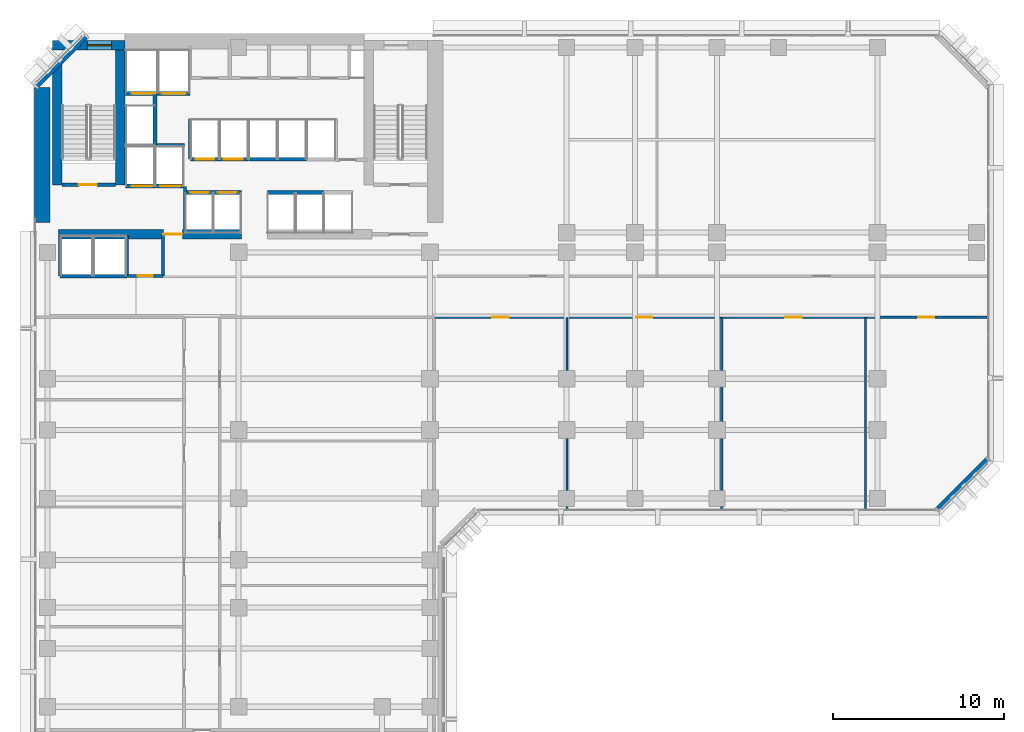
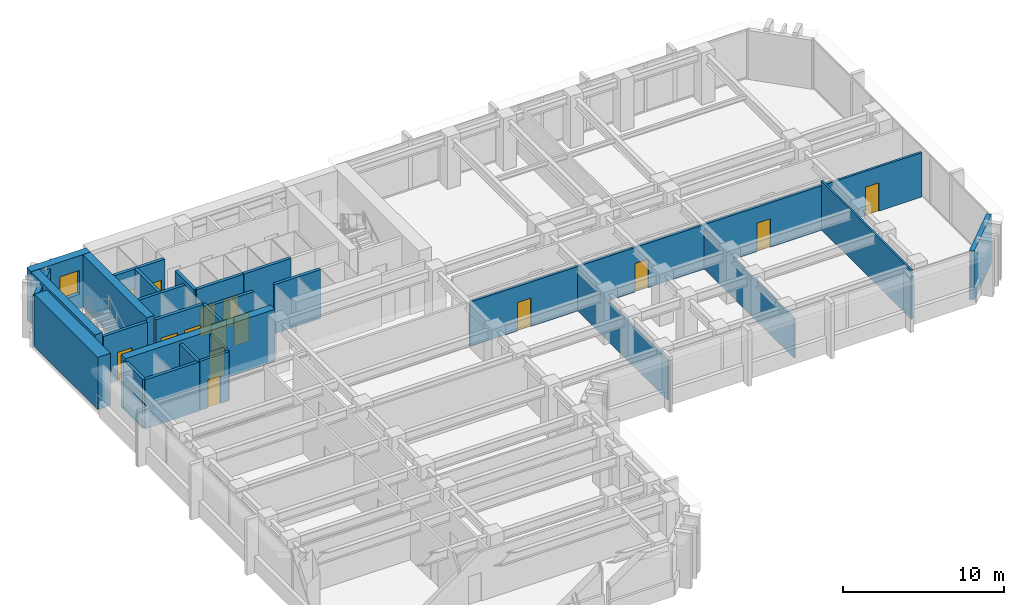
# One storey, part 7 of 14: 27 walls, 15 doors, 1 window, 16 openings.
"""IFC4 building model written with IfcOpenShell, lengths in metres."""

from ifc_helpers import new_model, si_unit, direction, frame, frame_2d, origin, place, context, subcontext, project, spatial, rectangle, extrude, material, layer, layer_set, type_object, element, fill, save


model = new_model("IFC4")

# Units and contexts
model_context = context("Model", 3, precision=1e-05, world=origin(), true_north=direction((0.0, 1.0)))
body_context = subcontext(model_context, "Body", "Model", "MODEL_VIEW")
ifc_project = project(units=[si_unit("LENGTHUNIT", "METRE"), si_unit("AREAUNIT", "SQUARE_METRE"), si_unit("VOLUMEUNIT", "CUBIC_METRE"), si_unit("PLANEANGLEUNIT", "RADIAN"), si_unit("MASSUNIT", "GRAM", prefix="KILO")], contexts=[model_context])

# Site, building, storey
site_placement = place(None, origin())
site = spatial("IfcSite", under=ifc_project, at=site_placement, CompositionType="ELEMENT")
building_placement = place(site_placement, origin())
building = spatial("IfcBuilding", under=site, at=building_placement, Name="Kefirva Bronze Tower", CompositionType="ELEMENT")
storey_placement = place(building_placement, frame((0.0, 0.0, 50.159912109375)))
storey = spatial("IfcBuildingStorey", under=building, at=storey_placement, Name="L11", CompositionType="ELEMENT", Elevation=50.159912109375)

# Walls
ifc_material_1 = material(Name="Gypsum acoustic partition")
ifc_layer_1 = layer(ifc_material_1, 0.1298828125, Name="Gypsum acoustic partition")
ifc_layer_set_1 = layer_set([ifc_layer_1], Name="Gypsum acoustic partition")
wall_type_1 = type_object("IfcWallType", Name="Acoustic Office Partition 130mm", PredefinedType="PARTITIONING", material=ifc_layer_set_1)
for number, where, z_axis, x_axis, name in (
    (1, (31.21630859375, 18.18994140625, 0.0), (0.0, 0.0, 1.0), (0.0, 1.0, 0.0), "L11 Partition W-L11-ESD1"),
    (2, (40.277099609375, 18.18994140625, 0.0), (0.0, 0.0, 1.0), (0.0, 1.0, 0.0), "L11 Partition W-L11-ESD2"),
):
    element("IfcWall", number, at=place(storey_placement, frame(where, z_axis=z_axis, x_axis=x_axis)), inside=storey, type_object=wall_type_1, Name=name, PredefinedType="PARTITIONING", context=body_context, shape_type="SweptSolid", body=[
        extrude(rectangle(XDim=11.2099609375, YDim=0.1298828125, at=frame_2d((5.60498046875, 0.0))), origin(), (0.0, 0.0, 1.0), 2.9951171875),
    ])
wall_1_placement = place(storey_placement, frame((48.69091796875, 18.18994140625, 0.0), z_axis=(0.0, 0.0, 1.0), x_axis=(0.0, 1.0, 0.0)))
element("IfcWall", 3, at=wall_1_placement, inside=storey, type_object=wall_type_1, Name="L11 Partition W-L11-ESD3", PredefinedType="PARTITIONING", context=body_context, shape_type="SweptSolid", body=[
    extrude(rectangle(XDim=11.2099609375, YDim=0.1298828125, at=frame_2d((5.60498046875, 0.0))), origin(), (0.0, 0.0, 1.0), 3.710205078125),
])

# Wall, opening, door
ifc_material_2 = material(Name="Gypsum fireboard shaftwall")
ifc_layer_2 = layer(ifc_material_2, 0.219970703125, Name="Gypsum fireboard shaftwall")
ifc_layer_set_2 = layer_set([ifc_layer_2], Name="Gypsum fireboard shaftwall")
wall_type_2 = type_object("IfcWallType", Name="Fire-Rated Shaft Enclosure Wall 220mm", PredefinedType="PARTITIONING", material=ifc_layer_set_2)
wall_2_placement = place(storey_placement, frame((1.64990234375, 37.14990234375, 0.0), z_axis=(0.0, 0.0, 1.0), x_axis=(1.0, 0.0, 0.0)))
wall_2 = element("IfcWall", 4, at=wall_2_placement, inside=storey, type_object=wall_type_2, Name="L11 Partition W-L11-ST1S", PredefinedType="PARTITIONING", context=body_context, shape_type="SweptSolid", body=[
    extrude(rectangle(XDim=3.150146484375, YDim=0.219970703125, at=frame_2d((1.5751953125, 0.0))), origin(), (0.0, 0.0, 1.0), 3.710205078125),
])
opening_1_placement = place(wall_2_placement, frame((2.050048828125, 0.0, 0.0), z_axis=(0.0, 0.0, 1.0), x_axis=(-1.0, 0.0, 0.0)))
opening_1 = element("IfcOpeningElement", 5, at=opening_1_placement, cuts=wall_2, Name="Opening L11-D001", PredefinedType="OPENING", context=body_context, shape_type="SweptSolid", body=[
    extrude(rectangle(XDim=1.050048828125, YDim=2.14990234375, at=frame_2d((0.52490234375, 1.074951171875))), frame((0.0, 0.1201171875, 0.0), z_axis=(0.0, -1.0, 0.0), x_axis=(1.0, 0.0, 0.0)), (0.0, 0.0, 1.0), 0.239990234375),
])
ifc_material_3 = material(Name="Painted galvanized steel", Category="steel")
door_type_1 = type_object("IfcDoorType", Name="Fire Stair Enclosure Door 1050x2150 FD90S", OperationType="NOTDEFINED", PredefinedType="DOOR", material=ifc_material_3)
door_1_placement = place(opening_1_placement, origin())
door_1 = element("IfcDoor", 6, at=door_1_placement, inside=storey, type_object=door_type_1, Name="Door L11-D001", OperationType="SINGLE_SWING_LEFT", OverallHeight=2.14990234375, OverallWidth=1.050048828125, PredefinedType="DOOR", context=body_context, shape_type="SweptSolid", body=[
    extrude(rectangle(XDim=1.050048828125, YDim=2.14990234375, at=frame_2d((0.52490234375, 1.074951171875))), frame((0.0, 0.02490234375, 0.0), z_axis=(0.0, -1.0, 0.0), x_axis=(1.0, 0.0, 0.0)), (0.0, 0.0, 1.0), 0.050048828125),
])
fill(opening_1, door_1)

# Wall, openings, doors
wall_3_placement = place(storey_placement, frame((5.3798828125, 37.080078125, 0.0), z_axis=(0.0, 0.0, 1.0), x_axis=(1.0, 0.0, 0.0)))
wall_3 = element("IfcWall", 7, at=wall_3_placement, inside=storey, type_object=wall_type_2, Name="L11 Partition W-L11-FFS", PredefinedType="PARTITIONING", context=body_context, shape_type="SweptSolid", body=[
    extrude(rectangle(XDim=3.460205078125, YDim=0.219970703125, at=frame_2d((1.72998046875, 0.0))), origin(), (0.0, 0.0, 1.0), 3.710205078125),
])
opening_2_placement = place(wall_3_placement, frame((1.550048828125, 0.0, 0.0), z_axis=(0.0, 0.0, 1.0), x_axis=(-1.0, 0.0, 0.0)))
opening_2 = element("IfcOpeningElement", 8, at=opening_2_placement, cuts=wall_3, Name="Opening L11-LD-FF1", PredefinedType="OPENING", context=body_context, shape_type="SweptSolid", body=[
    extrude(rectangle(XDim=1.199951171875, YDim=2.199951171875, at=frame_2d((0.60009765625, 1.10009765625))), frame((0.0, 0.1201171875, 0.0), z_axis=(0.0, -1.0, 0.0), x_axis=(1.0, 0.0, 0.0)), (0.0, 0.0, 1.0), 0.239990234375),
])
opening_3_placement = place(wall_3_placement, frame((3.219970703125, 0.0, 0.0), z_axis=(0.0, 0.0, 1.0), x_axis=(-1.0, 0.0, 0.0)))
opening_3 = element("IfcOpeningElement", 9, at=opening_3_placement, cuts=wall_3, Name="Opening L11-LD-FF2", PredefinedType="OPENING", context=body_context, shape_type="SweptSolid", body=[
    extrude(rectangle(XDim=1.199951171875, YDim=2.199951171875, at=frame_2d((0.60009765625, 1.10009765625))), frame((0.0, 0.1201171875, 0.0), z_axis=(0.0, -1.0, 0.0), x_axis=(1.0, 0.0, 0.0)), (0.0, 0.0, 1.0), 0.239990234375),
])
ifc_material_4 = material(Name="Stainless steel 316", Category="steel")
door_type_2 = type_object("IfcDoorType", Name="Firefighting Lift Sliding Door 1200x2200", OperationType="SLIDING_TO_RIGHT", PredefinedType="DOOR", material=ifc_material_4)
door_2_placement = place(opening_2_placement, origin())
door_2 = element("IfcDoor", 10, at=door_2_placement, inside=storey, type_object=door_type_2, Name="Door L11-LD-FF1", OperationType="SLIDING_TO_RIGHT", OverallHeight=2.199951171875, OverallWidth=1.199951171875, PredefinedType="DOOR", context=body_context, shape_type="SweptSolid", body=[
    extrude(rectangle(XDim=1.199951171875, YDim=2.199951171875, at=frame_2d((0.60009765625, 1.10009765625))), frame((0.0, 0.02490234375, 0.0), z_axis=(0.0, -1.0, 0.0), x_axis=(1.0, 0.0, 0.0)), (0.0, 0.0, 1.0), 0.050048828125),
])
fill(opening_2, door_2)
door_3_placement = place(opening_3_placement, origin())
door_3 = element("IfcDoor", 11, at=door_3_placement, inside=storey, type_object=door_type_2, Name="Door L11-LD-FF2", OperationType="SLIDING_TO_RIGHT", OverallHeight=2.199951171875, OverallWidth=1.199951171875, PredefinedType="DOOR", context=body_context, shape_type="SweptSolid", body=[
    extrude(rectangle(XDim=1.199951171875, YDim=2.199951171875, at=frame_2d((0.60009765625, 1.10009765625))), frame((0.0, 0.02490234375, 0.0), z_axis=(0.0, -1.0, 0.0), x_axis=(1.0, 0.0, 0.0)), (0.0, 0.0, 1.0), 0.050048828125),
])
fill(opening_3, door_3)

# Wall
wall_4_placement = place(storey_placement, frame((5.3798828125, 39.449951171875, 0.0), z_axis=(0.0, 0.0, 1.0), x_axis=(1.0, 0.0, 0.0)))
element("IfcWall", 12, at=wall_4_placement, inside=storey, type_object=wall_type_2, Name="L11 Partition W-L11-FFN", PredefinedType="PARTITIONING", context=body_context, shape_type="SweptSolid", body=[
    extrude(rectangle(XDim=3.460205078125, YDim=0.219970703125, at=frame_2d((1.72998046875, 0.0))), origin(), (0.0, 0.0, 1.0), 3.710205078125),
])

# Wall, openings, doors
wall_5_placement = place(storey_placement, frame((5.3798828125, 42.5, 0.0), z_axis=(0.0, 0.0, 1.0), x_axis=(1.0, 0.0, 0.0)))
wall_5 = element("IfcWall", 13, at=wall_5_placement, inside=storey, type_object=wall_type_2, Name="L11 Partition W-L11-SVS", PredefinedType="PARTITIONING", context=body_context, shape_type="SweptSolid", body=[
    extrude(rectangle(XDim=3.77001953125, YDim=0.219970703125, at=frame_2d((1.885009765625, 0.0))), origin(), (0.0, 0.0, 1.0), 3.710205078125),
])
opening_4_placement = place(wall_5_placement, frame((1.75, 0.0, 0.0), z_axis=(0.0, 0.0, 1.0), x_axis=(-1.0, 0.0, 0.0)))
opening_4 = element("IfcOpeningElement", 14, at=opening_4_placement, cuts=wall_5, Name="Opening L11-LD-SV1", PredefinedType="OPENING", context=body_context, shape_type="SweptSolid", body=[
    extrude(rectangle(XDim=1.39990234375, YDim=2.199951171875, at=frame_2d((0.699951171875, 1.10009765625))), frame((0.0, 0.1201171875, 0.0), z_axis=(0.0, -1.0, 0.0), x_axis=(1.0, 0.0, 0.0)), (0.0, 0.0, 1.0), 0.239990234375),
])
opening_5_placement = place(wall_5_placement, frame((3.52978515625, 0.0, 0.0), z_axis=(0.0, 0.0, 1.0), x_axis=(-1.0, 0.0, 0.0)))
opening_5 = element("IfcOpeningElement", 15, at=opening_5_placement, cuts=wall_5, Name="Opening L11-LD-SV2", PredefinedType="OPENING", context=body_context, shape_type="SweptSolid", body=[
    extrude(rectangle(XDim=1.39990234375, YDim=2.199951171875, at=frame_2d((0.699951171875, 1.10009765625))), frame((0.0, 0.1201171875, 0.0), z_axis=(0.0, -1.0, 0.0), x_axis=(1.0, 0.0, 0.0)), (0.0, 0.0, 1.0), 0.239990234375),
])
door_type_3 = type_object("IfcDoorType", Name="Goods Lift Bi-Parting Sliding Door 1400x2200", OperationType="SLIDING_TO_LEFT", PredefinedType="DOOR", material=ifc_material_4)
door_4_placement = place(opening_4_placement, origin())
door_4 = element("IfcDoor", 16, at=door_4_placement, inside=storey, type_object=door_type_3, Name="Door L11-LD-SV1", OperationType="SLIDING_TO_LEFT", OverallHeight=2.199951171875, OverallWidth=1.39990234375, PredefinedType="DOOR", context=body_context, shape_type="SweptSolid", body=[
    extrude(rectangle(XDim=1.39990234375, YDim=2.199951171875, at=frame_2d((0.699951171875, 1.10009765625))), frame((0.0, 0.02490234375, 0.0), z_axis=(0.0, -1.0, 0.0), x_axis=(1.0, 0.0, 0.0)), (0.0, 0.0, 1.0), 0.050048828125),
])
fill(opening_4, door_4)
door_5_placement = place(opening_5_placement, origin())
door_5 = element("IfcDoor", 17, at=door_5_placement, inside=storey, type_object=door_type_3, Name="Door L11-LD-SV2", OperationType="SLIDING_TO_LEFT", OverallHeight=2.199951171875, OverallWidth=1.39990234375, PredefinedType="DOOR", context=body_context, shape_type="SweptSolid", body=[
    extrude(rectangle(XDim=1.39990234375, YDim=2.199951171875, at=frame_2d((0.699951171875, 1.10009765625))), frame((0.0, 0.02490234375, 0.0), z_axis=(0.0, -1.0, 0.0), x_axis=(1.0, 0.0, 0.0)), (0.0, 0.0, 1.0), 0.050048828125),
])
fill(opening_5, door_5)

# Walls
wall_6_placement = place(storey_placement, frame((7.10009765625, 39.52001953125, 0.0), z_axis=(0.0, 0.0, 1.0), x_axis=(0.0, 1.0, 0.0)))
element("IfcWall", 18, at=wall_6_placement, inside=storey, type_object=wall_type_2, Name="L11 Partition W-L11-HP3E", PredefinedType="PARTITIONING", context=body_context, shape_type="SweptSolid", body=[
    extrude(rectangle(XDim=2.929931640625, YDim=0.219970703125, at=frame_2d((1.46484375, 0.0))), origin(), (0.0, 0.0, 1.0), 3.710205078125),
])
wall_7_placement = place(storey_placement, frame((1.550048828125, 31.800048828125, 0.0), z_axis=(0.0, 0.0, 1.0), x_axis=(1.0, 0.0, 0.0)))
element("IfcWall", 19, at=wall_7_placement, inside=storey, type_object=wall_type_2, Name="L11 Partition W-L11-OBS", PredefinedType="PARTITIONING", context=body_context, shape_type="SweptSolid", body=[
    extrude(rectangle(XDim=3.89990234375, YDim=0.219970703125, at=frame_2d((1.949951171875, 0.0))), origin(), (0.0, 0.0, 1.0), 3.710205078125),
])
for number, where, z_axis, x_axis, name in (
    (20, (1.550048828125, 31.800048828125, 0.0), (0.0, 0.0, 1.0), (0.0, 1.0, 0.0), "L11 Partition W-L11-OBW"),
    (21, (5.449951171875, 31.800048828125, 0.0), (0.0, 0.0, 1.0), (0.0, 1.0, 0.0), "L11 Partition W-L11-OBE"),
):
    element("IfcWall", number, at=place(storey_placement, frame(where, z_axis=z_axis, x_axis=x_axis)), inside=storey, type_object=wall_type_2, Name=name, PredefinedType="PARTITIONING", context=body_context, shape_type="SweptSolid", body=[
        extrude(rectangle(XDim=2.3798828125, YDim=0.219970703125, at=frame_2d((1.18994140625, 0.0))), origin(), (0.0, 0.0, 1.0), 3.710205078125),
    ])
wall_8_placement = place(storey_placement, frame((9.159912109375, 38.64990234375, 0.0), z_axis=(0.0, 0.0, 1.0), x_axis=(0.0, 1.0, 0.0)))
element("IfcWall", 22, at=wall_8_placement, inside=storey, type_object=wall_type_2, Name="L11 Partition W-L11-LP3W", PredefinedType="PARTITIONING", context=body_context, shape_type="SweptSolid", body=[
    extrude(rectangle(XDim=2.35009765625, YDim=0.199951171875, at=frame_2d((1.175048828125, 0.0))), origin(), (0.0, 0.0, 1.0), 3.710205078125),
])

# Wall, openings, doors
wall_9_placement = place(storey_placement, frame((8.89990234375, 36.699951171875, 0.0), z_axis=(0.0, 0.0, 1.0), x_axis=(1.0, 0.0, 0.0)))
wall_9 = element("IfcWall", 23, at=wall_9_placement, inside=storey, type_object=wall_type_2, Name="L11 Partition W-L11-LPS", PredefinedType="PARTITIONING", context=body_context, shape_type="SweptSolid", body=[
    extrude(rectangle(XDim=3.260009765625, YDim=0.219970703125, at=frame_2d((1.6298828125, 0.0))), origin(), (0.0, 0.0, 1.0), 3.710205078125),
])
opening_6_placement = place(wall_9_placement, frame((0.260009765625, 0.0, 0.0)))
opening_6 = element("IfcOpeningElement", 24, at=opening_6_placement, cuts=wall_9, Name="Opening L11-LD-LP1", PredefinedType="OPENING", context=body_context, shape_type="SweptSolid", body=[
    extrude(rectangle(XDim=1.10009765625, YDim=2.199951171875, at=frame_2d((0.550048828125, 1.10009765625))), frame((0.0, 0.1201171875, 0.0), z_axis=(0.0, -1.0, 0.0), x_axis=(1.0, 0.0, 0.0)), (0.0, 0.0, 1.0), 0.239990234375),
])
opening_7_placement = place(wall_9_placement, frame((1.8798828125, 0.0, 0.0)))
opening_7 = element("IfcOpeningElement", 25, at=opening_7_placement, cuts=wall_9, Name="Opening L11-LD-LP2", PredefinedType="OPENING", context=body_context, shape_type="SweptSolid", body=[
    extrude(rectangle(XDim=1.10009765625, YDim=2.199951171875, at=frame_2d((0.550048828125, 1.10009765625))), frame((0.0, 0.1201171875, 0.0), z_axis=(0.0, -1.0, 0.0), x_axis=(1.0, 0.0, 0.0)), (0.0, 0.0, 1.0), 0.239990234375),
])
door_type_4 = type_object("IfcDoorType", Name="Passenger Lift Sliding Landing Door 1100x2200", OperationType="SLIDING_TO_LEFT", PredefinedType="DOOR", material=ifc_material_4)
door_6_placement = place(opening_6_placement, origin())
door_6 = element("IfcDoor", 26, at=door_6_placement, inside=storey, type_object=door_type_4, Name="Door L11-LD-LP1", OperationType="SLIDING_TO_LEFT", OverallHeight=2.199951171875, OverallWidth=1.10009765625, PredefinedType="DOOR", context=body_context, shape_type="SweptSolid", body=[
    extrude(rectangle(XDim=1.10009765625, YDim=2.199951171875, at=frame_2d((0.550048828125, 1.10009765625))), frame((0.0, 0.02490234375, 0.0), z_axis=(0.0, -1.0, 0.0), x_axis=(1.0, 0.0, 0.0)), (0.0, 0.0, 1.0), 0.050048828125),
])
fill(opening_6, door_6)
door_7_placement = place(opening_7_placement, origin())
door_7 = element("IfcDoor", 27, at=door_7_placement, inside=storey, type_object=door_type_4, Name="Door L11-LD-LP2", OperationType="SLIDING_TO_LEFT", OverallHeight=2.199951171875, OverallWidth=1.10009765625, PredefinedType="DOOR", context=body_context, shape_type="SweptSolid", body=[
    extrude(rectangle(XDim=1.10009765625, YDim=2.199951171875, at=frame_2d((0.550048828125, 1.10009765625))), frame((0.0, 0.02490234375, 0.0), z_axis=(0.0, -1.0, 0.0), x_axis=(1.0, 0.0, 0.0)), (0.0, 0.0, 1.0), 0.050048828125),
])
fill(opening_7, door_7)

wall_10_placement = place(storey_placement, frame((9.179931640625, 38.64990234375, 0.0), z_axis=(0.0, 0.0, 1.0), x_axis=(1.0, 0.0, 0.0)))
wall_10 = element("IfcWall", 28, at=wall_10_placement, inside=storey, type_object=wall_type_2, Name="L11 Partition W-L11-LPN", PredefinedType="PARTITIONING", context=body_context, shape_type="SweptSolid", body=[
    extrude(rectangle(XDim=3.380126953125, YDim=0.219970703125, at=frame_2d((1.68994140625, 0.0))), origin(), (0.0, 0.0, 1.0), 3.710205078125),
])
opening_8_placement = place(wall_10_placement, frame((0.300048828125, 0.0, 0.0)))
opening_8 = element("IfcOpeningElement", 29, at=opening_8_placement, cuts=wall_10, Name="Opening L11-LD-LP3", PredefinedType="OPENING", context=body_context, shape_type="SweptSolid", body=[
    extrude(rectangle(XDim=1.10009765625, YDim=2.199951171875, at=frame_2d((0.550048828125, 1.10009765625))), frame((0.0, 0.1201171875, 0.0), z_axis=(0.0, -1.0, 0.0), x_axis=(1.0, 0.0, 0.0)), (0.0, 0.0, 1.0), 0.239990234375),
])
opening_9_placement = place(wall_10_placement, frame((1.949951171875, 0.0, 0.0)))
opening_9 = element("IfcOpeningElement", 30, at=opening_9_placement, cuts=wall_10, Name="Opening L11-LD-LP4", PredefinedType="OPENING", context=body_context, shape_type="SweptSolid", body=[
    extrude(rectangle(XDim=1.10009765625, YDim=2.199951171875, at=frame_2d((0.550048828125, 1.10009765625))), frame((0.0, 0.1201171875, 0.0), z_axis=(0.0, -1.0, 0.0), x_axis=(1.0, 0.0, 0.0)), (0.0, 0.0, 1.0), 0.239990234375),
])
door_8_placement = place(opening_8_placement, origin())
door_8 = element("IfcDoor", 31, at=door_8_placement, inside=storey, type_object=door_type_4, Name="Door L11-LD-LP3", OperationType="SLIDING_TO_LEFT", OverallHeight=2.199951171875, OverallWidth=1.10009765625, PredefinedType="DOOR", context=body_context, shape_type="SweptSolid", body=[
    extrude(rectangle(XDim=1.10009765625, YDim=2.199951171875, at=frame_2d((0.550048828125, 1.10009765625))), frame((0.0, 0.02490234375, 0.0), z_axis=(0.0, -1.0, 0.0), x_axis=(1.0, 0.0, 0.0)), (0.0, 0.0, 1.0), 0.050048828125),
])
fill(opening_8, door_8)
door_9_placement = place(opening_9_placement, origin())
door_9 = element("IfcDoor", 32, at=door_9_placement, inside=storey, type_object=door_type_4, Name="Door L11-LD-LP4", OperationType="SLIDING_TO_LEFT", OverallHeight=2.199951171875, OverallWidth=1.10009765625, PredefinedType="DOOR", context=body_context, shape_type="SweptSolid", body=[
    extrude(rectangle(XDim=1.10009765625, YDim=2.199951171875, at=frame_2d((0.550048828125, 1.10009765625))), frame((0.0, 0.02490234375, 0.0), z_axis=(0.0, -1.0, 0.0), x_axis=(1.0, 0.0, 0.0)), (0.0, 0.0, 1.0), 0.050048828125),
])
fill(opening_9, door_9)

# Walls
wall_11_placement = place(storey_placement, frame((13.679931640625, 36.699951171875, 0.0), z_axis=(0.0, 0.0, 1.0), x_axis=(1.0, 0.0, 0.0)))
element("IfcWall", 33, at=wall_11_placement, inside=storey, type_object=wall_type_2, Name="L11 Partition W-L11-MPS", PredefinedType="PARTITIONING", context=body_context, shape_type="SweptSolid", body=[
    extrude(rectangle(XDim=3.280029296875, YDim=0.219970703125, at=frame_2d((1.64013671875, 0.0))), origin(), (0.0, 0.0, 1.0), 3.710205078125),
])
wall_12_placement = place(storey_placement, frame((12.580078125, 38.64990234375, 0.0), z_axis=(0.0, 0.0, 1.0), x_axis=(1.0, 0.0, 0.0)))
element("IfcWall", 34, at=wall_12_placement, inside=storey, type_object=wall_type_2, Name="L11 Partition W-L11-MPN", PredefinedType="PARTITIONING", context=body_context, shape_type="SweptSolid", body=[
    extrude(rectangle(XDim=3.3798828125, YDim=0.219970703125, at=frame_2d((1.68994140625, 0.0))), origin(), (0.0, 0.0, 1.0), 3.710205078125),
])
ifc_material_5 = material(Name="Gypsum fireboard barrier")
ifc_layer_3 = layer(ifc_material_5, 0.199951171875, Name="Gypsum fireboard barrier")
ifc_layer_set_3 = layer_set([ifc_layer_3], Name="Gypsum fireboard barrier")
wall_type_3 = type_object("IfcWallType", Name="Firefighting Lobby Barrier Wall 200mm", PredefinedType="PARTITIONING", material=ifc_layer_set_3)
wall_13_placement = place(storey_placement, frame((8.860107421875, 34.550048828125, 0.0), z_axis=(0.0, 0.0, 1.0), x_axis=(0.0, 1.0, 0.0)))
element("IfcWall", 35, at=wall_13_placement, inside=storey, type_object=wall_type_3, Name="L11 Partition W-L11-FFLE", PredefinedType="PARTITIONING", context=body_context, shape_type="SweptSolid", body=[
    extrude(rectangle(XDim=2.5, YDim=0.199951171875, at=frame_2d((1.25, 0.0))), origin(), (0.0, 0.0, 1.0), 3.710205078125),
])
ifc_material_6 = material(Name="Precast concrete C40/50", Category="concrete")
ifc_layer_4 = layer(ifc_material_6, 0.320068359375, Name="Precast concrete C40/50")
ifc_layer_set_4 = layer_set([ifc_layer_4], Name="Precast concrete C40/50")
wall_type_4 = type_object("IfcWallType", Name="Precast Insulated Exterior Wall 320mm", PredefinedType="SOLIDWALL", material=ifc_layer_set_4)
for number, where, z_axis, x_axis, name in (
    (36, (52.92578125, 18.152099609375, 0.0), (0.0, 0.0, 1.0), (0.707106781187, 0.707106781187, 0.0), "L11 Exterior Facade Wall 7"),
    (37, (3.07421875, 45.847900390625, 0.0), (0.0, 0.0, 1.0), (-0.707106781187, -0.707106781187, 0.0), "L11 Exterior Facade Wall 9"),
):
    element("IfcWall", number, at=place(storey_placement, frame(where, z_axis=z_axis, x_axis=x_axis)), inside=storey, type_object=wall_type_4, Name=name, PredefinedType="SOLIDWALL", context=body_context, shape_type="SweptSolid", body=[
        extrude(rectangle(XDim=4.132568359375, YDim=0.320068359375, at=frame_2d((2.06640625, 0.0))), origin(), (0.0, 0.0, 1.0), 3.710205078125),
    ])

# Wall, openings, doors
ifc_layer_5 = layer(ifc_material_1, 0.159912109375, Name="Gypsum acoustic partition")
ifc_layer_set_5 = layer_set([ifc_layer_5], Name="Gypsum acoustic partition")
wall_type_5 = type_object("IfcWallType", Name="Protected Corridor Partition 160mm", PredefinedType="PARTITIONING", material=ifc_layer_set_5)
wall_14_placement = place(storey_placement, frame((23.449951171875, 29.39990234375, 0.0), z_axis=(0.0, 0.0, 1.0), x_axis=(1.0, 0.0, 0.0)))
wall_14 = element("IfcWall", 38, at=wall_14_placement, inside=storey, type_object=wall_type_5, Name="L11 Partition W-L11-EWS", PredefinedType="PARTITIONING", context=body_context, shape_type="SweptSolid", body=[
    extrude(rectangle(XDim=32.360107421875, YDim=0.159912109375, at=frame_2d((16.18017578125, 0.0))), origin(), (0.0, 0.0, 1.0), 3.364990234375),
])
opening_10_placement = place(wall_14_placement, frame((4.358154296875, 0.0, 0.0), z_axis=(0.0, 0.0, 1.0), x_axis=(-1.0, 0.0, 0.0)))
opening_10 = element("IfcOpeningElement", 39, at=opening_10_placement, cuts=wall_14, Name="Opening L11-D-ES1", PredefinedType="OPENING", context=body_context, shape_type="SweptSolid", body=[
    extrude(rectangle(XDim=0.949951171875, YDim=2.14990234375, at=frame_2d((0.47509765625, 1.074951171875))), frame((0.0, 0.08984375, 0.0), z_axis=(0.0, -1.0, 0.0), x_axis=(1.0, 0.0, 0.0)), (0.0, 0.0, 1.0), 0.179931640625),
])
opening_11_placement = place(wall_14_placement, frame((12.771728515625, 0.0, 0.0), z_axis=(0.0, 0.0, 1.0), x_axis=(-1.0, 0.0, 0.0)))
opening_11 = element("IfcOpeningElement", 40, at=opening_11_placement, cuts=wall_14, Name="Opening L11-D-ES2", PredefinedType="OPENING", context=body_context, shape_type="SweptSolid", body=[
    extrude(rectangle(XDim=0.949951171875, YDim=2.14990234375, at=frame_2d((0.47509765625, 1.074951171875))), frame((0.0, 0.08984375, 0.0), z_axis=(0.0, -1.0, 0.0), x_axis=(1.0, 0.0, 0.0)), (0.0, 0.0, 1.0), 0.179931640625),
])
opening_12_placement = place(wall_14_placement, frame((21.509033203125, 0.0, 0.0), z_axis=(0.0, 0.0, 1.0), x_axis=(-1.0, 0.0, 0.0)))
opening_12 = element("IfcOpeningElement", 41, at=opening_12_placement, cuts=wall_14, Name="Opening L11-D-ES3", PredefinedType="OPENING", context=body_context, shape_type="SweptSolid", body=[
    extrude(rectangle(XDim=0.949951171875, YDim=2.14990234375, at=frame_2d((0.47509765625, 1.074951171875))), frame((0.0, 0.08984375, 0.0), z_axis=(0.0, -1.0, 0.0), x_axis=(1.0, 0.0, 0.0)), (0.0, 0.0, 1.0), 0.179931640625),
])
opening_13_placement = place(wall_14_placement, frame((29.275390625, 0.0, 0.0), z_axis=(0.0, 0.0, 1.0), x_axis=(-1.0, 0.0, 0.0)))
opening_13 = element("IfcOpeningElement", 42, at=opening_13_placement, cuts=wall_14, Name="Opening L11-D-ES4", PredefinedType="OPENING", context=body_context, shape_type="SweptSolid", body=[
    extrude(rectangle(XDim=0.949951171875, YDim=2.14990234375, at=frame_2d((0.47509765625, 1.074951171875))), frame((0.0, 0.08984375, 0.0), z_axis=(0.0, -1.0, 0.0), x_axis=(1.0, 0.0, 0.0)), (0.0, 0.0, 1.0), 0.179931640625),
])
ifc_material_7 = material(Name="Acoustic hardwood oak", Category="wood")
door_type_5 = type_object("IfcDoorType", Name="Office & Meeting Room Door 950x2150", OperationType="NOTDEFINED", PredefinedType="DOOR", material=ifc_material_7)
door_10_placement = place(opening_10_placement, origin())
door_10 = element("IfcDoor", 43, at=door_10_placement, inside=storey, type_object=door_type_5, Name="Door L11-D-ES1", OperationType="SINGLE_SWING_LEFT", OverallHeight=2.14990234375, OverallWidth=0.949951171875, PredefinedType="DOOR", context=body_context, shape_type="SweptSolid", body=[
    extrude(rectangle(XDim=0.949951171875, YDim=2.14990234375, at=frame_2d((0.47509765625, 1.074951171875))), frame((0.0, 0.02490234375, 0.0), z_axis=(0.0, -1.0, 0.0), x_axis=(1.0, 0.0, 0.0)), (0.0, 0.0, 1.0), 0.050048828125),
])
fill(opening_10, door_10)
door_11_placement = place(opening_11_placement, origin())
door_11 = element("IfcDoor", 44, at=door_11_placement, inside=storey, type_object=door_type_5, Name="Door L11-D-ES2", OperationType="SINGLE_SWING_RIGHT", OverallHeight=2.14990234375, OverallWidth=0.949951171875, PredefinedType="DOOR", context=body_context, shape_type="SweptSolid", body=[
    extrude(rectangle(XDim=0.949951171875, YDim=2.14990234375, at=frame_2d((0.47509765625, 1.074951171875))), frame((0.0, 0.02490234375, 0.0), z_axis=(0.0, -1.0, 0.0), x_axis=(1.0, 0.0, 0.0)), (0.0, 0.0, 1.0), 0.050048828125),
])
fill(opening_11, door_11)
door_12_placement = place(opening_12_placement, origin())
door_12 = element("IfcDoor", 45, at=door_12_placement, inside=storey, type_object=door_type_5, Name="Door L11-D-ES3", OperationType="SINGLE_SWING_LEFT", OverallHeight=2.14990234375, OverallWidth=0.949951171875, PredefinedType="DOOR", context=body_context, shape_type="SweptSolid", body=[
    extrude(rectangle(XDim=0.949951171875, YDim=2.14990234375, at=frame_2d((0.47509765625, 1.074951171875))), frame((0.0, 0.02490234375, 0.0), z_axis=(0.0, -1.0, 0.0), x_axis=(1.0, 0.0, 0.0)), (0.0, 0.0, 1.0), 0.050048828125),
])
fill(opening_12, door_12)
door_13_placement = place(opening_13_placement, origin())
door_13 = element("IfcDoor", 46, at=door_13_placement, inside=storey, type_object=door_type_5, Name="Door L11-D-ES4", OperationType="SINGLE_SWING_RIGHT", OverallHeight=2.14990234375, OverallWidth=0.949951171875, PredefinedType="DOOR", context=body_context, shape_type="SweptSolid", body=[
    extrude(rectangle(XDim=0.949951171875, YDim=2.14990234375, at=frame_2d((0.47509765625, 1.074951171875))), frame((0.0, 0.02490234375, 0.0), z_axis=(0.0, -1.0, 0.0), x_axis=(1.0, 0.0, 0.0)), (0.0, 0.0, 1.0), 0.050048828125),
])
fill(opening_13, door_13)

# Wall, opening, window
ifc_material_8 = material(Name="Concrete C50/60", Category="concrete")
ifc_layer_6 = layer(ifc_material_8, 0.550048828125, Name="Concrete C50/60")
ifc_layer_set_6 = layer_set([ifc_layer_6], Name="Concrete C50/60")
wall_type_6 = type_object("IfcWallType", Name="RC Rear Core Exterior Wall 550mm", PredefinedType="SHEAR", material=ifc_layer_set_6)
wall_15_placement = place(storey_placement, frame((1.10009765625, 45.320068359375, 0.0), z_axis=(0.0, 0.0, 1.0), x_axis=(1.0, 0.0, 0.0)))
wall_15 = element("IfcWall", 47, at=wall_15_placement, inside=storey, type_object=wall_type_6, Name="L11 Stair 1 North Shear Wall", PredefinedType="SHEAR", context=body_context, shape_type="SweptSolid", body=[
    extrude(rectangle(XDim=4.239990234375, YDim=0.550048828125, at=frame_2d((2.1201171875, 0.0))), origin(), (0.0, 0.0, 1.0), 3.960205078125),
])
opening_14_placement = place(wall_15_placement, frame((2.050048828125, 0.0, 1.050048828125)))
opening_14 = element("IfcOpeningElement", 48, at=opening_14_placement, cuts=wall_15, Name="Opening WN-03", PredefinedType="OPENING", context=body_context, shape_type="SweptSolid", body=[
    extrude(rectangle(XDim=1.39990234375, YDim=1.800048828125, at=frame_2d((0.699951171875, 0.89990234375))), frame((0.0, 0.28515625, 0.0), z_axis=(0.0, -1.0, 0.0), x_axis=(1.0, 0.0, 0.0)), (0.0, 0.0, 1.0), 0.570068359375),
])
ifc_material_9 = material(Name="Laminated low-E double glazing", Category="glass")
window_type = type_object("IfcWindowType", Name="Rear-Core Stair Daylight Window 1400x1800", PartitioningType="SINGLE_PANEL", PredefinedType="WINDOW", material=ifc_material_9)
window_placement = place(opening_14_placement, origin())
window = element("IfcWindow", 49, at=window_placement, inside=storey, type_object=window_type, Name="L11 Stair 1 Daylight Window", OverallHeight=1.800048828125, OverallWidth=1.39990234375, PartitioningType="SINGLE_PANEL", PredefinedType="WINDOW", context=body_context, shape_type="SweptSolid", body=[
    extrude(rectangle(XDim=1.39990234375, YDim=1.800048828125, at=frame_2d((0.699951171875, 0.89990234375))), frame((0.0, 0.030029296875, 0.0), z_axis=(0.0, -1.0, 0.0), x_axis=(1.0, 0.0, 0.0)), (0.0, 0.0, 1.0), 0.06005859375),
])
fill(opening_14, window)

# Walls
ifc_material_10 = material(Name="Concrete C60/75", Category="concrete")
ifc_layer_7 = layer(ifc_material_10, 0.89990234375, Name="Concrete C60/75")
ifc_layer_set_7 = layer_set([ifc_layer_7], Name="Concrete C60/75")
wall_type_7 = type_object("IfcWallType", Name="RC Rear Core Exterior Wall 900mm", PredefinedType="SHEAR", material=ifc_layer_set_7)
wall_16_placement = place(storey_placement, frame((0.5, 34.949951171875, 0.0), z_axis=(0.0, 0.0, 1.0), x_axis=(0.0, 1.0, 0.0)))
element("IfcWall", 50, at=wall_16_placement, inside=storey, type_object=wall_type_7, Name="L11 Rear Core West Shear Wall", PredefinedType="SHEAR", context=body_context, shape_type="SweptSolid", body=[
    extrude(rectangle(XDim=7.900146484375, YDim=0.89990234375, at=frame_2d((3.9501953125, 0.0))), origin(), (0.0, 0.0, 1.0), 3.960205078125),
])
ifc_layer_8 = layer(ifc_material_8, 0.550048828125, Name="Concrete C50/60")
ifc_layer_set_8 = layer_set([ifc_layer_8], Name="Concrete C50/60")
wall_type_8 = type_object("IfcWallType", Name="RC Rear Core Interior Wall 550mm", PredefinedType="SHEAR", material=ifc_layer_set_8)
for number, where, z_axis, x_axis, name in (
    (51, (1.3701171875, 37.14990234375, 0.0), (0.0, 0.0, 1.0), (0.0, 1.0, 0.0), "L11 Stair 1 West Shear Wall"),
    (52, (5.070068359375, 37.14990234375, 0.0), (0.0, 0.0, 1.0), (0.0, 1.0, 0.0), "L11 Stair 1 East Shear Wall"),
):
    element("IfcWall", number, at=place(storey_placement, frame(where, z_axis=z_axis, x_axis=x_axis)), inside=storey, type_object=wall_type_8, Name=name, PredefinedType="SHEAR", context=body_context, shape_type="SweptSolid", body=[
        extrude(rectangle(XDim=7.89013671875, YDim=0.550048828125, at=frame_2d((3.945068359375, 0.0))), origin(), (0.0, 0.0, 1.0), 3.960205078125),
    ])

# Wall, opening, door
ifc_layer_9 = layer(ifc_material_10, 0.89990234375, Name="Concrete C60/75")
ifc_layer_set_9 = layer_set([ifc_layer_9], Name="Concrete C60/75")
wall_type_9 = type_object("IfcWallType", Name="RC Rear Core Interior Wall 900mm", PredefinedType="SHEAR", material=ifc_layer_set_9)
wall_17_placement = place(storey_placement, frame((1.449951171875, 34.25, 0.0), z_axis=(0.0, 0.0, 1.0), x_axis=(1.0, 0.0, 0.0)))
wall_17 = element("IfcWall", 53, at=wall_17_placement, inside=storey, type_object=wall_type_9, Name="L11 Rear Core South-West Shear Wall", PredefinedType="SHEAR", context=body_context, shape_type="SweptSolid", body=[
    extrude(rectangle(XDim=10.7099609375, YDim=0.550048828125, at=frame_2d((5.35498046875, 0.0))), origin(), (0.0, 0.0, 1.0), 3.960205078125),
])
opening_15_placement = place(wall_17_placement, frame((7.25, 0.0, 0.0), z_axis=(0.0, 0.0, 1.0), x_axis=(-1.0, 0.0, 0.0)))
opening_15 = element("IfcOpeningElement", 54, at=opening_15_placement, cuts=wall_17, Name="Opening L11-D002", PredefinedType="OPENING", context=body_context, shape_type="SweptSolid", body=[
    extrude(rectangle(XDim=1.10009765625, YDim=2.14990234375, at=frame_2d((0.550048828125, 1.074951171875))), frame((0.0, 0.28515625, 0.0), z_axis=(0.0, -1.0, 0.0), x_axis=(1.0, 0.0, 0.0)), (0.0, 0.0, 1.0), 0.570068359375),
])
door_type_6 = type_object("IfcDoorType", Name="Firefighting Lobby Smoke Door 1100x2150 FD60S", OperationType="NOTDEFINED", PredefinedType="DOOR", material=ifc_material_3)
door_14_placement = place(opening_15_placement, origin())
door_14 = element("IfcDoor", 55, at=door_14_placement, inside=storey, type_object=door_type_6, Name="Door L11-D002", OperationType="SINGLE_SWING_RIGHT", OverallHeight=2.14990234375, OverallWidth=1.10009765625, PredefinedType="DOOR", context=body_context, shape_type="SweptSolid", body=[
    extrude(rectangle(XDim=1.10009765625, YDim=2.14990234375, at=frame_2d((0.550048828125, 1.074951171875))), frame((0.0, 0.02490234375, 0.0), z_axis=(0.0, -1.0, 0.0), x_axis=(1.0, 0.0, 0.0)), (0.0, 0.0, 1.0), 0.050048828125),
])
fill(opening_15, door_14)

ifc_material_11 = material(Name="Moisture-resistant partition")
ifc_layer_10 = layer(ifc_material_11, 0.179931640625, Name="Moisture-resistant partition")
ifc_layer_set_10 = layer_set([ifc_layer_10], Name="Moisture-resistant partition")
wall_type_10 = type_object("IfcWallType", Name="Sanitary Plumbing Chase Wall 180mm", PredefinedType="PLUMBINGWALL", material=ifc_layer_set_10)
wall_18_placement = place(storey_placement, frame((5.5, 31.820068359375, 0.0), z_axis=(0.0, 0.0, 1.0), x_axis=(1.0, 0.0, 0.0)))
wall_18 = element("IfcWall", 56, at=wall_18_placement, inside=storey, type_object=wall_type_10, Name="L11 Partition W-L11-TCS", PredefinedType="PLUMBINGWALL", context=body_context, shape_type="SweptSolid", body=[
    extrude(rectangle(XDim=2.080078125, YDim=0.179931640625, at=frame_2d((1.0400390625, 0.0))), origin(), (0.0, 0.0, 1.0), 3.710205078125),
])
opening_16_placement = place(wall_18_placement, frame((1.47998046875, 0.0, 0.0), z_axis=(0.0, 0.0, 1.0), x_axis=(-1.0, 0.0, 0.0)))
opening_16 = element("IfcOpeningElement", 57, at=opening_16_placement, cuts=wall_18, Name="Opening L11-D-TCL1", PredefinedType="OPENING", context=body_context, shape_type="SweptSolid", body=[
    extrude(rectangle(XDim=0.89990234375, YDim=2.10009765625, at=frame_2d((0.449951171875, 1.050048828125))), frame((0.0, 0.10009765625, 0.0), z_axis=(0.0, -1.0, 0.0), x_axis=(1.0, 0.0, 0.0)), (0.0, 0.0, 1.0), 0.199951171875),
])
door_type_7 = type_object("IfcDoorType", Name="Telecom & Meter Fire Door 900x2100 FD60S", OperationType="NOTDEFINED", PredefinedType="DOOR", material=ifc_material_3)
door_15_placement = place(opening_16_placement, origin())
door_15 = element("IfcDoor", 58, at=door_15_placement, inside=storey, type_object=door_type_7, Name="Door L11-D-TCL1", OperationType="SINGLE_SWING_RIGHT", OverallHeight=2.10009765625, OverallWidth=0.89990234375, PredefinedType="DOOR", context=body_context, shape_type="SweptSolid", body=[
    extrude(rectangle(XDim=0.89990234375, YDim=2.10009765625, at=frame_2d((0.449951171875, 1.050048828125))), frame((0.0, 0.02490234375, 0.0), z_axis=(0.0, -1.0, 0.0), x_axis=(1.0, 0.0, 0.0)), (0.0, 0.0, 1.0), 0.050048828125),
])
fill(opening_16, door_15)

# Wall
wall_19_placement = place(storey_placement, frame((7.580078125, 31.820068359375, 0.0), z_axis=(0.0, 0.0, 1.0), x_axis=(0.0, 1.0, 0.0)))
element("IfcWall", 59, at=wall_19_placement, inside=storey, type_object=wall_type_10, Name="L11 Partition W-L11-TCE", PredefinedType="PLUMBINGWALL", context=body_context, shape_type="SweptSolid", body=[
    extrude(rectangle(XDim=2.35986328125, YDim=0.179931640625, at=frame_2d((1.179931640625, 0.0))), origin(), (0.0, 0.0, 1.0), 3.710205078125),
])

save(model, "model.ifc")
